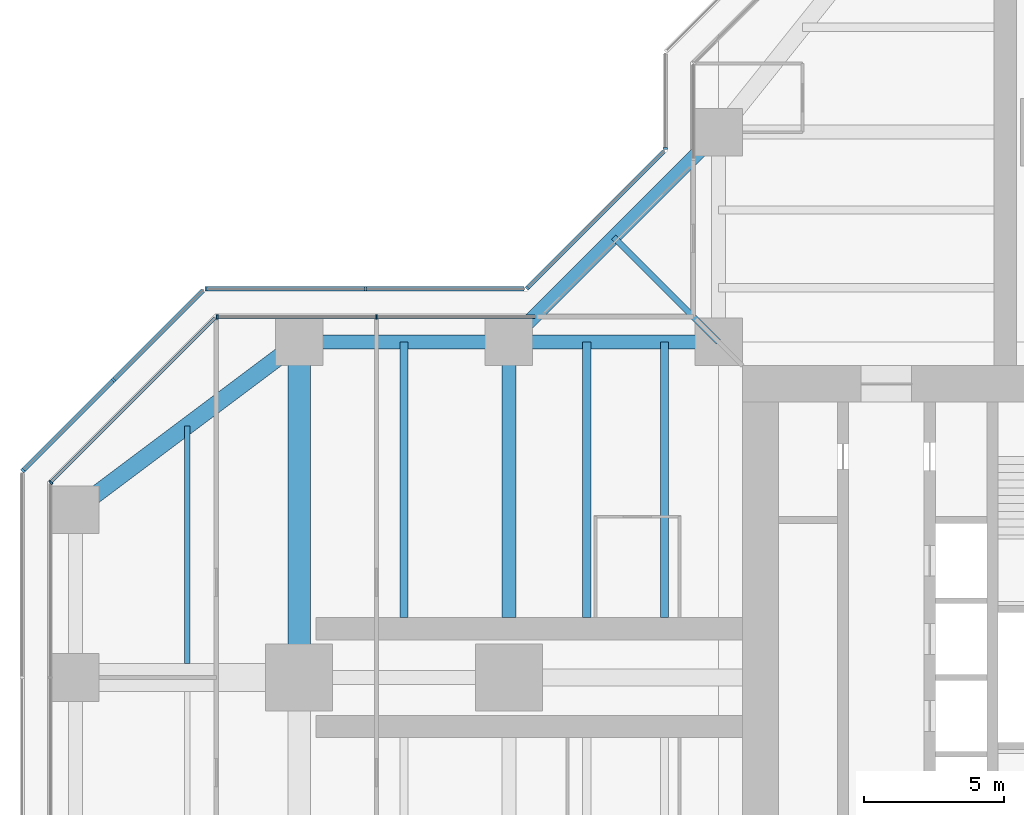
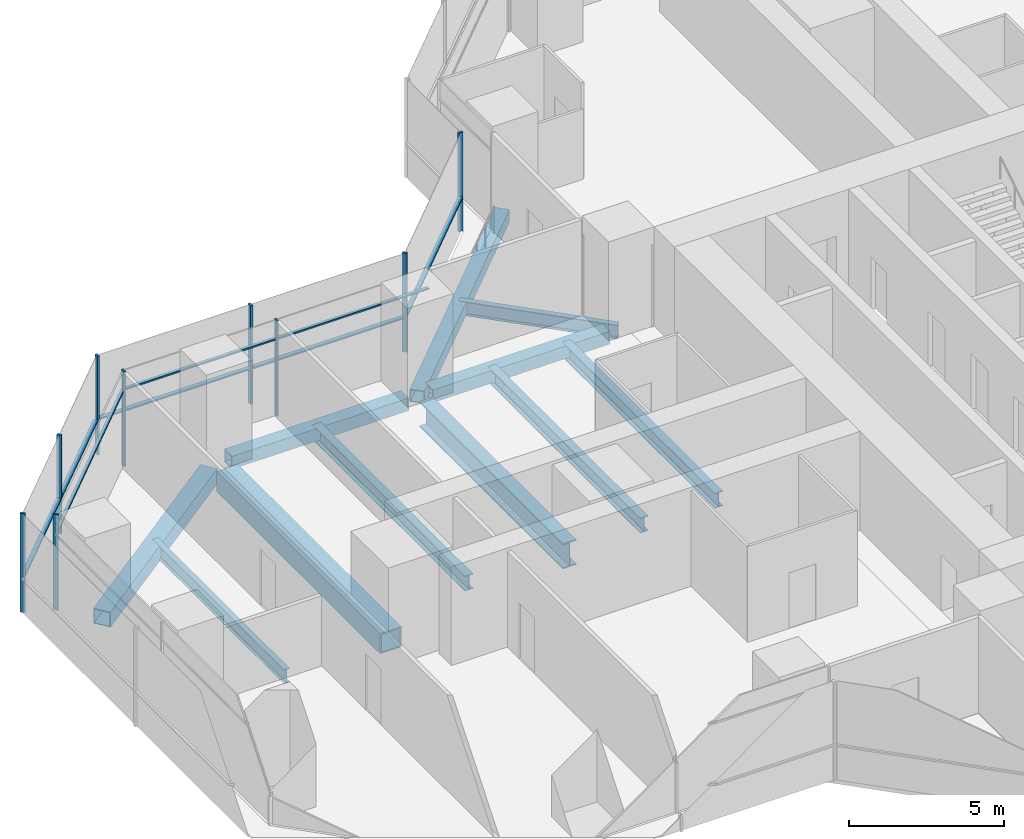
# One storey, part 7 of 20: 17 members, 11 beams, 6 elements without a shape of their own.
"""IFC4 building model written with IfcOpenShell, lengths in metres."""

from ifc_helpers import new_model, si_unit, direction, frame, origin, origin_2d, place, context, subcontext, project, spatial, rectangle, hollow_rectangle, i_section, extrude, material, material_profile, profile_set, type_object, element, aggregate, save


model = new_model("IFC4")

# Units and contexts
model_context = context("Model", 3, precision=1e-05, world=origin(), true_north=direction((0.0, 1.0)))
body_context = subcontext(model_context, "Body", "Model", "MODEL_VIEW")
ifc_project = project(units=[si_unit("LENGTHUNIT", "METRE"), si_unit("AREAUNIT", "SQUARE_METRE"), si_unit("VOLUMEUNIT", "CUBIC_METRE"), si_unit("PLANEANGLEUNIT", "RADIAN"), si_unit("MASSUNIT", "GRAM", prefix="KILO")], contexts=[model_context])

# Site, building, storey
site_placement = place(None, origin())
site = spatial("IfcSite", under=ifc_project, at=site_placement, CompositionType="ELEMENT")
building_placement = place(site_placement, origin())
building = spatial("IfcBuilding", under=site, at=building_placement, Name="Mizan Broadcast Tower", CompositionType="ELEMENT")
storey_placement = place(building_placement, frame((0.0, 0.0, 155.39990234375)))
storey = spatial("IfcBuildingStorey", under=building, at=storey_placement, Name="L35", CompositionType="ELEMENT", Elevation=155.39990234375)

# Beams
ifc_material_1 = material(Name="Steel S355", Category="steel")
ifc_material_profile_1 = material_profile(ifc_material_1, hollow_rectangle(XDim=0.5, YDim=0.5, WallThickness=0.030029296875, at=origin_2d()), Name="BOX 500x500x30")
ifc_profile_set_1 = profile_set([ifc_material_profile_1], Name="Steel S355")
beam_type_1 = type_object("IfcBeamType", Name="EDGE BEAM BOX 500x500x30", PredefinedType="SPANDREL", material=ifc_profile_set_1)
for number, where, z_axis, x_axis, name in (
    (1, (-12.449951171875, 12.0, -0.3798828125), (-1.0, 0.0, 0.0), (0.0, -1.0, 0.0), "Edge beam BOX 500x500x30 L35 west arm"),
    (2, (-19.949951171875, 12.0, -0.3798828125), (-1.0, 0.0, 0.0), (0.0, -1.0, 0.0), "Edge beam BOX 500x500x30 L35 west arm"),
):
    element("IfcBeam", number, at=place(storey_placement, frame(where, z_axis=z_axis, x_axis=x_axis)), inside=storey, type_object=beam_type_1, Name=name, PredefinedType="SPANDREL", context=body_context, shape_type="SweptSolid", body=[
        extrude(hollow_rectangle(XDim=0.5, YDim=0.5, WallThickness=0.030029296875, at=origin_2d()), origin(), (0.0, 0.0, 1.0), 6.60009765625),
    ])
beam_1_placement = place(storey_placement, frame((-12.0, 19.5, -0.3798828125), z_axis=(-0.707106781187, -0.707106781187, 0.0), x_axis=(0.707106781187, -0.707106781187, 0.0)))
element("IfcBeam", 3, at=beam_1_placement, inside=storey, type_object=beam_type_1, Name="Winter garden edge beam L35 N", PredefinedType="SPANDREL", context=body_context, shape_type="SweptSolid", body=[
    extrude(hollow_rectangle(XDim=0.5, YDim=0.5, WallThickness=0.030029296875, at=origin_2d()), origin(), (0.0, 0.0, 1.0), 10.606689453125),
])
ifc_material_2 = material(Name="Steel S355", Category="steel")
ifc_material_profile_2 = material_profile(ifc_material_2, hollow_rectangle(XDim=0.60009765625, YDim=0.60009765625, WallThickness=0.030029296875, at=origin_2d()), Name="BOX 600x600x30")
ifc_profile_set_2 = profile_set([ifc_material_profile_2], Name="Steel S355")
beam_type_2 = type_object("IfcBeamType", Name="EDGE BEAM BOX 600x600x30", PredefinedType="SPANDREL", material=ifc_profile_set_2)
beam_2_placement = place(storey_placement, frame((-27.47998046875, 11.639892578125, -0.429931640625), z_axis=(-0.800013316712, -0.599982243973, 0.0), x_axis=(0.599982243973, -0.800013316712, 0.0)))
element("IfcBeam", 4, at=beam_2_placement, inside=storey, type_object=beam_type_2, Name="Edge beam BOX 600x600x30 L35 west arm", PredefinedType="SPANDREL", context=body_context, shape_type="SweptSolid", body=[
    extrude(hollow_rectangle(XDim=0.60009765625, YDim=0.60009765625, WallThickness=0.030029296875, at=origin_2d()), origin(), (0.0, 0.0, 1.0), 8.7998046875),
])
ifc_material_3 = material(Name="Steel S460", Category="steel")
ifc_material_profile_3 = material_profile(ifc_material_3, hollow_rectangle(XDim=0.800048828125, YDim=0.800048828125, WallThickness=0.050048828125, at=origin_2d()), Name="BOX 800x800x50")
ifc_profile_set_3 = profile_set([ifc_material_profile_3], Name="Steel S460")
beam_type_3 = type_object("IfcBeamType", Name="GIRDER BOX 800x800x50", PredefinedType="BEAM", material=ifc_profile_set_3)
beam_3_placement = place(storey_placement, frame((-27.0, 11.280029296875, -0.52978515625), z_axis=(0.0, -1.0, 0.0), x_axis=(1.0, 0.0, 0.0)))
element("IfcBeam", 5, at=beam_3_placement, inside=storey, type_object=beam_type_3, Name="Girder BOX 800x800x50 L35 west arm", PredefinedType="BEAM", context=body_context, shape_type="SweptSolid", body=[
    extrude(hollow_rectangle(XDim=0.800048828125, YDim=0.800048828125, WallThickness=0.050048828125, at=origin_2d()), origin(), (0.0, 0.0, 1.0), 10.56005859375),
])
ifc_material_4 = material(Name="Steel S460", Category="steel")
ifc_material_profile_4 = material_profile(ifc_material_4, i_section(OverallWidth=0.5, OverallDepth=1.0, WebThickness=0.02490234375, FlangeThickness=0.050048828125, at=origin_2d()), Name="WPG 1000x500")
ifc_profile_set_4 = profile_set([ifc_material_profile_4], Name="Steel S460")
beam_type_4 = type_object("IfcBeamType", Name="GIRDER WPG 1000x500", PredefinedType="BEAM", material=ifc_profile_set_4)
beam_4_placement = place(storey_placement, frame((-19.5, 11.408935546875, -0.6298828125), z_axis=(0.0, -1.0, 0.0), x_axis=(1.0, 0.0, 0.0)))
element("IfcBeam", 6, at=beam_4_placement, inside=storey, type_object=beam_type_4, Name="Girder WPG 1000x500 L35 west arm", PredefinedType="BEAM", context=body_context, shape_type="SweptSolid", body=[
    extrude(i_section(OverallWidth=0.5, OverallDepth=1.0, WebThickness=0.02490234375, FlangeThickness=0.050048828125, at=origin_2d()), origin(), (0.0, 0.0, 1.0), 9.259033203125),
])

# Curtain wall, members
ifc_material_5 = material(Name="Aluminium framed glazing", Category="aluminium")
curtain_wall_type_1 = type_object("IfcCurtainWallType", Name="INNER SKIN MID ZONE", PredefinedType="USERDEFINED", material=ifc_material_5)
curtain_wall_1_placement = place(storey_placement, origin())
curtain_wall_1 = element("IfcCurtainWall", 7, at=curtain_wall_1_placement, inside=storey, type_object=curtain_wall_type_1, Name="Inner skin mid zone L35 W side", ObjectType="INNER SKIN MID ZONE", PredefinedType="USERDEFINED")
ifc_material_6 = material(Name="Aluminium, pale anodised", Category="aluminium")
ifc_material_profile_5 = material_profile(ifc_material_6, rectangle(XDim=0.159912109375, YDim=0.06005859375, at=origin_2d()), Name="MULLION 160x60")
ifc_profile_set_5 = profile_set([ifc_material_profile_5], Name="Aluminium, pale anodised")
member_type_1 = type_object("IfcMemberType", Name="INNER SKIN MULLION 60x160", PredefinedType="MULLION", material=ifc_profile_set_5)
member_1_placement = place(storey_placement, frame((-24.229248046875, 12.89990234375, 0.0), z_axis=(0.0, 0.0, 1.0), x_axis=(0.0, -1.0, 0.0)))
member_1 = element("IfcMember", 8, at=member_1_placement, type_object=member_type_1, Name="Inner skin mid zone L35 W side mullion 2", PredefinedType="MULLION", context=body_context, shape_type="SweptSolid", body=[
    extrude(rectangle(XDim=0.159912109375, YDim=0.06005859375, at=origin_2d()), origin(), (0.0, 0.0, 1.0), 3.77001953125),
])
member_2_placement = place(storey_placement, frame((-29.928466796875, 12.89990234375, 0.0), z_axis=(0.0, 0.0, 1.0), x_axis=(0.0, -1.0, 0.0)))
member_2 = element("IfcMember", 9, at=member_2_placement, type_object=member_type_1, Name="Inner skin mid zone L35 W side mullion 3", PredefinedType="MULLION", context=body_context, shape_type="SweptSolid", body=[
    extrude(rectangle(XDim=0.159912109375, YDim=0.06005859375, at=origin_2d()), origin(), (0.0, 0.0, 1.0), 3.77001953125),
])

# Curtain wall, member
curtain_wall_2_placement = place(storey_placement, origin())
curtain_wall_2 = element("IfcCurtainWall", 10, at=curtain_wall_2_placement, inside=storey, type_object=curtain_wall_type_1, Name="Inner skin mid zone L35 W chamfer", ObjectType="INNER SKIN MID ZONE", PredefinedType="USERDEFINED")
member_3_placement = place(storey_placement, frame((-35.87890625, 6.979736328125, 0.0), z_axis=(0.0, 0.0, 1.0), x_axis=(0.707106781187, -0.707106781187, 0.0)))
member_3 = element("IfcMember", 11, at=member_3_placement, type_object=member_type_1, Name="Inner skin mid zone L35 W chamfer mullion 2", PredefinedType="MULLION", context=body_context, shape_type="SweptSolid", body=[
    extrude(rectangle(XDim=0.159912109375, YDim=0.06005859375, at=origin_2d()), origin(), (0.0, 0.0, 1.0), 3.77001953125),
])

# Member
ifc_material_7 = material(Name="Aluminium, pale anodised", Category="aluminium")
ifc_material_profile_6 = material_profile(ifc_material_7, rectangle(XDim=0.1201171875, YDim=0.06005859375, at=origin_2d()), Name="TRANSOM 120x60")
ifc_profile_set_6 = profile_set([ifc_material_profile_6], Name="Aluminium, pale anodised")
member_type_2 = type_object("IfcMemberType", Name="INNER SKIN TRANSOM 60x120", PredefinedType="USERDEFINED", material=ifc_profile_set_6)
member_4_placement = place(storey_placement, frame((-18.56005859375, 12.89990234375, 3.030029296875), z_axis=(-1.0, 0.0, 0.0), x_axis=(0.0, -1.0, 0.0)))
member_4 = element("IfcMember", 12, at=member_4_placement, type_object=member_type_2, Name="Inner skin mid zone L35 W side transom 1.1", ObjectType="TRANSOM", PredefinedType="USERDEFINED", context=body_context, shape_type="SweptSolid", body=[
    extrude(rectangle(XDim=0.1201171875, YDim=0.06005859375, at=origin_2d()), origin(), (0.0, 0.0, 1.0), 5.63916015625),
])

member_5_placement = place(storey_placement, frame((-24.25927734375, 12.89990234375, 3.030029296875), z_axis=(-1.0, 0.0, 0.0), x_axis=(0.0, -1.0, 0.0)))
member_5 = element("IfcMember", 13, at=member_5_placement, type_object=member_type_2, Name="Inner skin mid zone L35 W side transom 2.1", ObjectType="TRANSOM", PredefinedType="USERDEFINED", context=body_context, shape_type="SweptSolid", body=[
    extrude(rectangle(XDim=0.1201171875, YDim=0.06005859375, at=origin_2d()), origin(), (0.0, 0.0, 1.0), 5.639404296875),
])

aggregate(curtain_wall_1, [member_1, member_2, member_4, member_5])

member_6_placement = place(storey_placement, frame((-30.0009765625, 12.857666015625, 3.030029296875), z_axis=(-0.707106781187, -0.707106781187, 0.0), x_axis=(0.707106781187, -0.707106781187, 0.0)))
member_6 = element("IfcMember", 14, at=member_6_placement, type_object=member_type_2, Name="Inner skin mid zone L35 W chamfer transom 1.1", ObjectType="TRANSOM", PredefinedType="USERDEFINED", context=body_context, shape_type="SweptSolid", body=[
    extrude(rectangle(XDim=0.1201171875, YDim=0.06005859375, at=origin_2d()), origin(), (0.0, 0.0, 1.0), 8.28271484375),
])

aggregate(curtain_wall_2, [member_3, member_6])

# Curtain wall, member
ifc_material_8 = material(Name="Aluminium framed glazing", Category="aluminium")
curtain_wall_type_2 = type_object("IfcCurtainWallType", Name="OUTER SKIN", PredefinedType="USERDEFINED", material=ifc_material_8)
curtain_wall_3_placement = place(storey_placement, origin())
curtain_wall_3 = element("IfcCurtainWall", 15, at=curtain_wall_3_placement, inside=storey, type_object=curtain_wall_type_2, Name="Outer skin L35 N side", ObjectType="OUTER SKIN", PredefinedType="USERDEFINED")
ifc_material_9 = material(Name="Aluminium, pale anodised", Category="aluminium")
ifc_material_profile_7 = material_profile(ifc_material_9, rectangle(XDim=0.159912109375, YDim=0.080078125, at=origin_2d()), Name="MULLION 160x80")
ifc_profile_set_7 = profile_set([ifc_material_profile_7], Name="Aluminium, pale anodised")
member_type_3 = type_object("IfcMemberType", Name="OUTER SKIN MULLION 80x160", PredefinedType="MULLION", material=ifc_profile_set_7)
member_7_placement = place(storey_placement, frame((-13.89990234375, 18.912841796875, 0.0), z_axis=(0.0, 0.0, 1.0), x_axis=(1.0, 0.0, 0.0)))
member_7 = element("IfcMember", 16, at=member_7_placement, type_object=member_type_3, Name="Outer skin L35 N side mullion 2", PredefinedType="MULLION", context=body_context, shape_type="SweptSolid", body=[
    extrude(rectangle(XDim=0.159912109375, YDim=0.080078125, at=origin_2d()), origin(), (0.0, 0.0, 1.0), 3.900146484375),
])
aggregate(curtain_wall_3, [member_7])

curtain_wall_4_placement = place(storey_placement, origin())
curtain_wall_4 = element("IfcCurtainWall", 17, at=curtain_wall_4_placement, inside=storey, type_object=curtain_wall_type_2, Name="Outer skin L35 W chamfer", ObjectType="OUTER SKIN", PredefinedType="USERDEFINED")
member_8_placement = place(storey_placement, frame((-18.844482421875, 13.92822265625, 0.0), z_axis=(0.0, 0.0, 1.0), x_axis=(0.707106781187, -0.707106781187, 0.0)))
member_8 = element("IfcMember", 18, at=member_8_placement, type_object=member_type_3, Name="Outer skin L35 W chamfer mullion 2", PredefinedType="MULLION", context=body_context, shape_type="SweptSolid", body=[
    extrude(rectangle(XDim=0.159912109375, YDim=0.080078125, at=origin_2d()), origin(), (0.0, 0.0, 1.0), 3.900146484375),
])

# Curtain wall, members
curtain_wall_5_placement = place(storey_placement, origin())
curtain_wall_5 = element("IfcCurtainWall", 19, at=curtain_wall_5_placement, inside=storey, type_object=curtain_wall_type_2, Name="Outer skin L35 W side", ObjectType="OUTER SKIN", PredefinedType="USERDEFINED")
member_9_placement = place(storey_placement, frame((-24.622802734375, 13.89990234375, 0.0), z_axis=(0.0, 0.0, 1.0), x_axis=(0.0, -1.0, 0.0)))
member_9 = element("IfcMember", 20, at=member_9_placement, type_object=member_type_3, Name="Outer skin L35 W side mullion 2", PredefinedType="MULLION", context=body_context, shape_type="SweptSolid", body=[
    extrude(rectangle(XDim=0.159912109375, YDim=0.080078125, at=origin_2d()), origin(), (0.0, 0.0, 1.0), 3.900146484375),
])
member_10_placement = place(storey_placement, frame((-30.332763671875, 13.89990234375, 0.0), z_axis=(0.0, 0.0, 1.0), x_axis=(0.0, -1.0, 0.0)))
member_10 = element("IfcMember", 21, at=member_10_placement, type_object=member_type_3, Name="Outer skin L35 W side mullion 3", PredefinedType="MULLION", context=body_context, shape_type="SweptSolid", body=[
    extrude(rectangle(XDim=0.159912109375, YDim=0.080078125, at=origin_2d()), origin(), (0.0, 0.0, 1.0), 3.900146484375),
])

curtain_wall_6_placement = place(storey_placement, origin())
curtain_wall_6 = element("IfcCurtainWall", 22, at=curtain_wall_6_placement, inside=storey, type_object=curtain_wall_type_2, Name="Outer skin L35 W chamfer", ObjectType="OUTER SKIN", PredefinedType="USERDEFINED")
member_11_placement = place(storey_placement, frame((-33.636474609375, 10.636474609375, 0.0), z_axis=(0.0, 0.0, 1.0), x_axis=(0.707106781187, -0.707106781187, 0.0)))
member_11 = element("IfcMember", 23, at=member_11_placement, type_object=member_type_3, Name="Outer skin L35 W chamfer mullion 2", PredefinedType="MULLION", context=body_context, shape_type="SweptSolid", body=[
    extrude(rectangle(XDim=0.159912109375, YDim=0.080078125, at=origin_2d()), origin(), (0.0, 0.0, 1.0), 3.900146484375),
])
member_12_placement = place(storey_placement, frame((-36.871826171875, 7.401123046875, 0.0), z_axis=(0.0, 0.0, 1.0), x_axis=(0.707106781187, -0.707106781187, 0.0)))
member_12 = element("IfcMember", 24, at=member_12_placement, type_object=member_type_3, Name="Outer skin L35 W chamfer mullion 3", PredefinedType="MULLION", context=body_context, shape_type="SweptSolid", body=[
    extrude(rectangle(XDim=0.159912109375, YDim=0.080078125, at=origin_2d()), origin(), (0.0, 0.0, 1.0), 3.900146484375),
])

# Member
ifc_material_10 = material(Name="Aluminium, pale anodised", Category="aluminium")
ifc_material_profile_8 = material_profile(ifc_material_10, rectangle(XDim=0.159912109375, YDim=0.06005859375, at=origin_2d()), Name="TRANSOM 160x60")
ifc_profile_set_8 = profile_set([ifc_material_profile_8], Name="Aluminium, pale anodised")
member_type_4 = type_object("IfcMemberType", Name="OUTER SKIN TRANSOM 60x160", PredefinedType="USERDEFINED", material=ifc_profile_set_8)
member_13_placement = place(storey_placement, frame((-13.95654296875, 18.816162109375, 1.400146484375), z_axis=(-0.707106781187, -0.707106781187, 0.0), x_axis=(0.707106781187, -0.707106781187, 0.0)))
member_13 = element("IfcMember", 25, at=member_13_placement, type_object=member_type_4, Name="Outer skin L35 W chamfer transom 1.1", ObjectType="TRANSOM", PredefinedType="USERDEFINED", context=body_context, shape_type="SweptSolid", body=[
    extrude(rectangle(XDim=0.159912109375, YDim=0.06005859375, at=origin_2d()), origin(), (0.0, 0.0, 1.0), 6.87255859375),
])

aggregate(curtain_wall_4, [member_8, member_13])

member_14_placement = place(storey_placement, frame((-18.952880859375, 13.89990234375, 1.400146484375), z_axis=(-1.0, 0.0, 0.0), x_axis=(0.0, -1.0, 0.0)))
member_14 = element("IfcMember", 26, at=member_14_placement, type_object=member_type_4, Name="Outer skin L35 W side transom 1.1", ObjectType="TRANSOM", PredefinedType="USERDEFINED", context=body_context, shape_type="SweptSolid", body=[
    extrude(rectangle(XDim=0.159912109375, YDim=0.06005859375, at=origin_2d()), origin(), (0.0, 0.0, 1.0), 5.6298828125),
])

member_15_placement = place(storey_placement, frame((-24.662841796875, 13.89990234375, 1.400146484375), z_axis=(-1.0, 0.0, 0.0), x_axis=(0.0, -1.0, 0.0)))
member_15 = element("IfcMember", 27, at=member_15_placement, type_object=member_type_4, Name="Outer skin L35 W side transom 2.1", ObjectType="TRANSOM", PredefinedType="USERDEFINED", context=body_context, shape_type="SweptSolid", body=[
    extrude(rectangle(XDim=0.159912109375, YDim=0.06005859375, at=origin_2d()), origin(), (0.0, 0.0, 1.0), 5.6298828125),
])

aggregate(curtain_wall_5, [member_9, member_10, member_14, member_15])

member_16_placement = place(storey_placement, frame((-30.429443359375, 13.843505859375, 1.400146484375), z_axis=(-0.707106781187, -0.707106781187, 0.0), x_axis=(0.707106781187, -0.707106781187, 0.0)))
member_16 = element("IfcMember", 28, at=member_16_placement, type_object=member_type_4, Name="Outer skin L35 W chamfer transom 1.1", ObjectType="TRANSOM", PredefinedType="USERDEFINED", context=body_context, shape_type="SweptSolid", body=[
    extrude(rectangle(XDim=0.159912109375, YDim=0.06005859375, at=origin_2d()), origin(), (0.0, 0.0, 1.0), 4.495361328125),
])

member_17_placement = place(storey_placement, frame((-33.664794921875, 10.608154296875, 1.400146484375), z_axis=(-0.707106781187, -0.707106781187, 0.0), x_axis=(0.707106781187, -0.707106781187, 0.0)))
member_17 = element("IfcMember", 29, at=member_17_placement, type_object=member_type_4, Name="Outer skin L35 W chamfer transom 2.1", ObjectType="TRANSOM", PredefinedType="USERDEFINED", context=body_context, shape_type="SweptSolid", body=[
    extrude(rectangle(XDim=0.159912109375, YDim=0.06005859375, at=origin_2d()), origin(), (0.0, 0.0, 1.0), 4.495361328125),
])

aggregate(curtain_wall_6, [member_11, member_12, member_16, member_17])

# Beams
ifc_material_11 = material(Name="Steel S355", Category="steel")
ifc_material_profile_9 = material_profile(ifc_material_11, i_section(OverallWidth=0.300048828125, OverallDepth=0.590087890625, WebThickness=0.012939453125, FlangeThickness=0.02490234375, FilletRadius=0.027099609375, at=origin_2d()), Name="HEA 600")
ifc_profile_set_9 = profile_set([ifc_material_profile_9], Name="Steel S355")
beam_type_5 = type_object("IfcBeamType", Name="SECONDARY BEAM HEA 600", PredefinedType="JOIST", material=ifc_profile_set_9)
for number, where, z_axis, x_axis, name in (
    (30, (-13.933349609375, 12.0, -0.4248046875), (0.0, -1.0, 0.0), (1.0, 0.0, 0.0), "Secondary beam HEA 600 L35 west arm"),
    (31, (-16.716552734375, 12.0, -0.4248046875), (0.0, -1.0, 0.0), (1.0, 0.0, 0.0), "Secondary beam HEA 600 L35 west arm"),
    (32, (-23.25, 12.0, -0.4248046875), (0.0, -1.0, 0.0), (1.0, 0.0, 0.0), "Secondary beam HEA 600 L35 west arm"),
):
    element("IfcBeam", number, at=place(storey_placement, frame(where, z_axis=z_axis, x_axis=x_axis)), inside=storey, type_object=beam_type_5, Name=name, PredefinedType="JOIST", context=body_context, shape_type="SweptSolid", body=[
        extrude(i_section(OverallWidth=0.300048828125, OverallDepth=0.590087890625, WebThickness=0.012939453125, FlangeThickness=0.02490234375, FilletRadius=0.027099609375, at=origin_2d()), origin(), (0.0, 0.0, 1.0), 9.85009765625),
    ])
ifc_material_12 = material(Name="Steel S355", Category="steel")
ifc_material_profile_10 = material_profile(ifc_material_12, i_section(OverallWidth=0.2099609375, OverallDepth=0.550048828125, WebThickness=0.010986328125, FlangeThickness=0.01708984375, FilletRadius=0.02392578125, at=origin_2d()), Name="IPE 550")
ifc_profile_set_10 = profile_set([ifc_material_profile_10], Name="Steel S355")
beam_type_6 = type_object("IfcBeamType", Name="SECONDARY BEAM IPE 550", PredefinedType="JOIST", material=ifc_profile_set_10)
beam_5_placement = place(storey_placement, frame((-31.0, 9.0, -0.40478515625), z_axis=(0.0, -1.0, 0.0), x_axis=(1.0, 0.0, 0.0)))
element("IfcBeam", 33, at=beam_5_placement, inside=storey, type_object=beam_type_6, Name="Secondary beam IPE 550 L35 west arm", PredefinedType="JOIST", context=body_context, shape_type="SweptSolid", body=[
    extrude(i_section(OverallWidth=0.2099609375, OverallDepth=0.550048828125, WebThickness=0.010986328125, FlangeThickness=0.01708984375, FilletRadius=0.02392578125, at=origin_2d()), origin(), (0.0, 0.0, 1.0), 8.5),
])
beam_6_placement = place(storey_placement, frame((-12.0, 12.0, -0.40478515625), z_axis=(-0.707106781187, 0.707106781187, 0.0), x_axis=(-0.707106781187, -0.707106781187, 0.0)))
element("IfcBeam", 34, at=beam_6_placement, inside=storey, type_object=beam_type_6, Name="Winter garden beam L35 N", PredefinedType="JOIST", context=body_context, shape_type="SweptSolid", body=[
    extrude(i_section(OverallWidth=0.2099609375, OverallDepth=0.550048828125, WebThickness=0.010986328125, FlangeThickness=0.01708984375, FilletRadius=0.02392578125, at=origin_2d()), origin(), (0.0, 0.0, 1.0), 5.30322265625),
])

save(model, "model.ifc")
